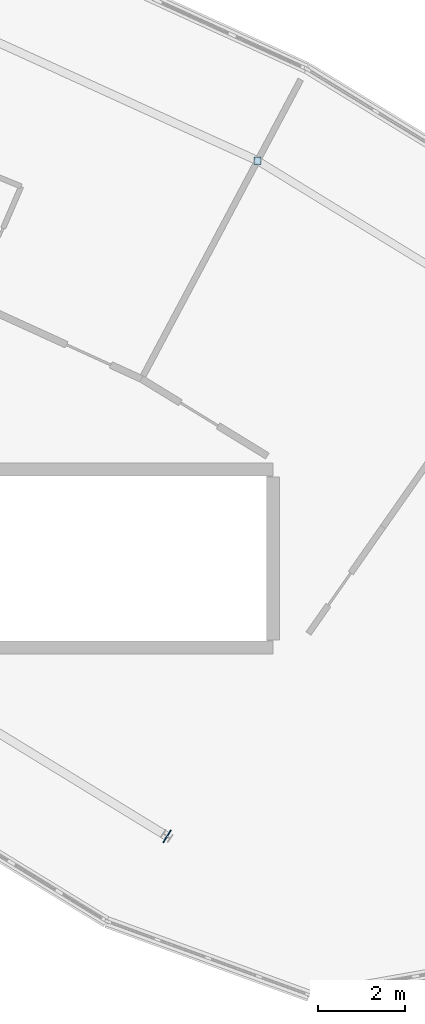
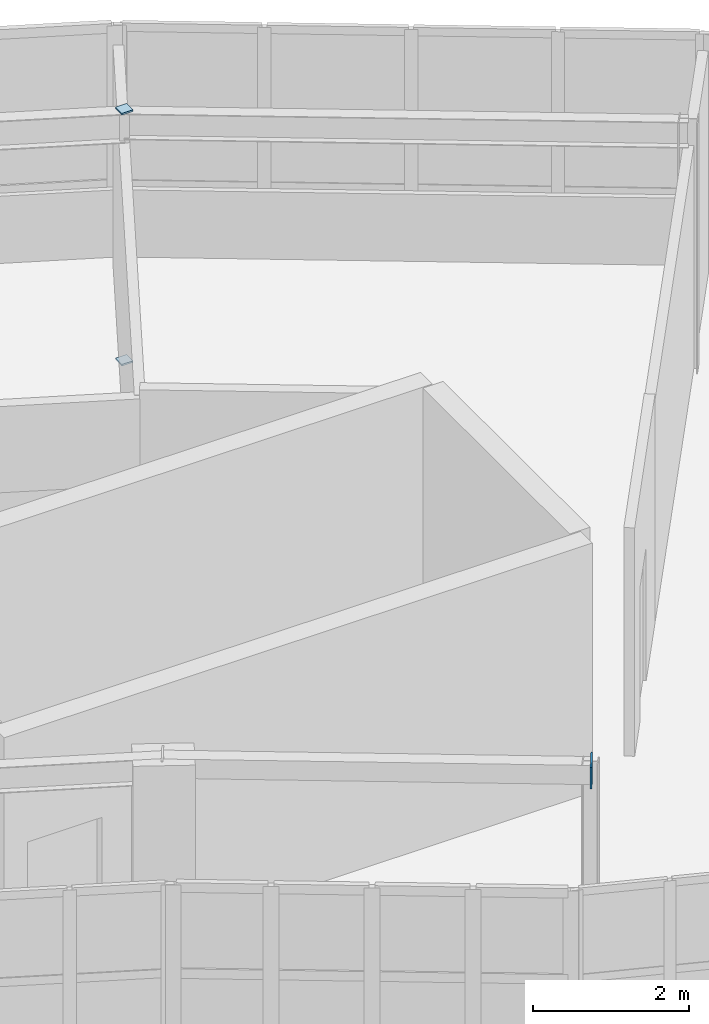
# One storey, part 22 of 26: 3 plates.
"""IFC4 building model written with IfcOpenShell, lengths in metres."""

from ifc_helpers import new_model, si_unit, direction, frame, origin, origin_2d, place, context, subcontext, project, spatial, rectangle, extrude, material, layer, layer_set, type_object, element, save


model = new_model("IFC4")

# Units and contexts
model_context = context("Model", 3, precision=1e-05, world=origin(), true_north=direction((0.0, 1.0)))
body_context = subcontext(model_context, "Body", "Model", "MODEL_VIEW")
ifc_project = project(units=[si_unit("LENGTHUNIT", "METRE"), si_unit("AREAUNIT", "SQUARE_METRE"), si_unit("VOLUMEUNIT", "CUBIC_METRE"), si_unit("PLANEANGLEUNIT", "RADIAN"), si_unit("MASSUNIT", "GRAM", prefix="KILO")], contexts=[model_context])

# Site, building, storey
site_placement = place(None, origin())
site = spatial("IfcSite", under=ifc_project, at=site_placement, CompositionType="ELEMENT")
building_placement = place(site_placement, origin())
building = spatial("IfcBuilding", under=site, at=building_placement, Name="Tarnwether General Hospital", CompositionType="ELEMENT")
storey_placement = place(building_placement, frame((0.0, 0.0, 30.0)))
storey = spatial("IfcBuildingStorey", under=building, at=storey_placement, Name="L07", CompositionType="ELEMENT", Elevation=30.0)

# Plates
ifc_material = material(Name="Steel Grade 350 (350 MPa)", Category="steel")
ifc_layer = layer(ifc_material, 0.02490234375)
ifc_layer_set = layer_set([ifc_layer], Name="Steel Grade 350 (350 MPa)")
plate_type = type_object("IfcPlateType", Name="PT-GUS2", PredefinedType="USERDEFINED", material=ifc_layer_set)
for number, where, z_axis, x_axis, name in (
    (1, (119.79296875, 115.27001953125, -0.02490234375), (0.0, 0.0, 1.0), (1.0, 0.0, 0.0), "Hollow Section Welded End Cap Plate 0587"),
    (2, (119.79296875, 115.27001953125, 3.900146484375), (0.0, 0.0, 1.0), (1.0, 0.0, 0.0), "Hollow Section Welded End Cap Plate 0588"),
):
    element("IfcPlate", number, at=place(storey_placement, frame(where, z_axis=z_axis, x_axis=x_axis)), inside=storey, type_object=plate_type, Name=name, ObjectType="GUSSET", PredefinedType="USERDEFINED", context=body_context, shape_type="SweptSolid", body=[
        extrude(rectangle(XDim=0.1650390625, YDim=0.1650390625, at=origin_2d()), origin(), (0.0, 0.0, 1.0), 0.02490234375),
    ])
plate_placement = place(storey_placement, frame((117.706787109375, 99.69140625, 3.580078125), z_axis=(0.0, 0.0, 1.0), x_axis=(0.852649283545, -0.522483683258, 0.0)))
element("IfcPlate", 3, at=plate_placement, inside=storey, type_object=plate_type, Name="Hollow Section Welded End Cap Plate 1088", ObjectType="GUSSET", PredefinedType="USERDEFINED", context=body_context, shape_type="SweptSolid", body=[
    extrude(rectangle(XDim=0.02490234375, YDim=0.340087890625, at=origin_2d()), origin(), (0.0, 0.0, 1.0), 0.340087890625),
])

save(model, "model.ifc")
